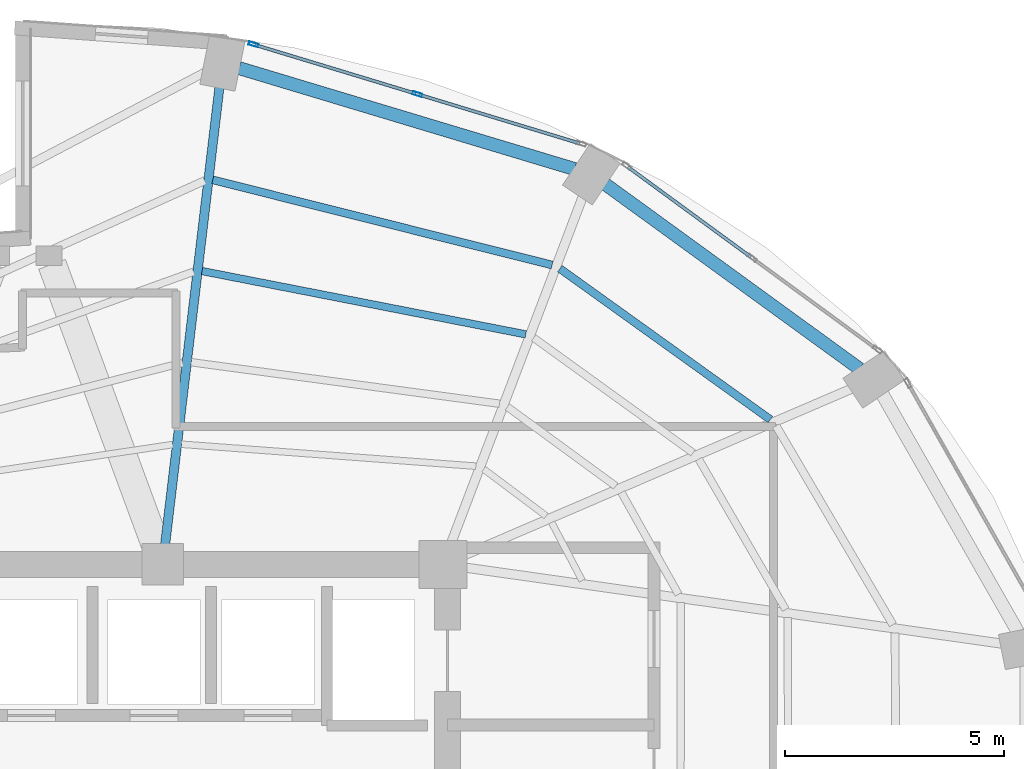
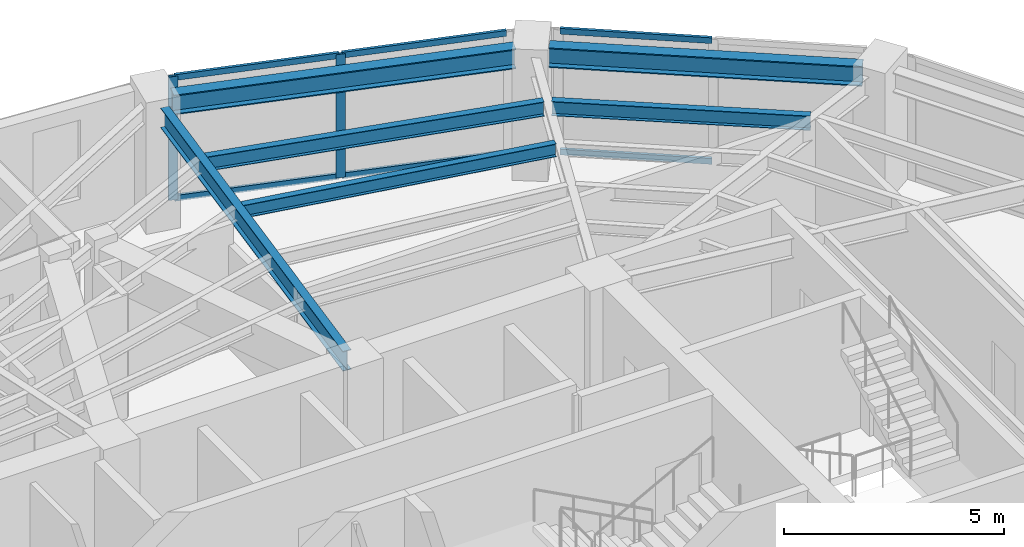
# One storey, part 13 of 20: 8 members, 6 beams, 2 elements without a shape of their own.
"""IFC4 building model written with IfcOpenShell, lengths in metres."""

from ifc_helpers import new_model, si_unit, direction, frame, origin, origin_2d, place, context, subcontext, project, spatial, hollow_rectangle, i_section, extrude, material, layer, layer_set, material_profile, profile_set, type_object, element, aggregate, save


model = new_model("IFC4")

# Units and contexts
model_context = context("Model", 3, precision=1e-05, world=origin(), true_north=direction((0.0, 1.0)))
body_context = subcontext(model_context, "Body", "Model", "MODEL_VIEW")
ifc_project = project(units=[si_unit("LENGTHUNIT", "METRE"), si_unit("AREAUNIT", "SQUARE_METRE"), si_unit("VOLUMEUNIT", "CUBIC_METRE"), si_unit("PLANEANGLEUNIT", "RADIAN"), si_unit("MASSUNIT", "GRAM", prefix="KILO")], contexts=[model_context])

# Site, building, storey
site_placement = place(None, origin())
site = spatial("IfcSite", under=ifc_project, at=site_placement, CompositionType="ELEMENT")
building_placement = place(site_placement, origin())
building = spatial("IfcBuilding", under=site, at=building_placement, Name="Lazwardi Medical Tower", CompositionType="ELEMENT")
storey_placement = place(building_placement, frame((0.0, 0.0, 182.06396484375)))
storey = spatial("IfcBuildingStorey", under=building, at=storey_placement, Name="L47", CompositionType="ELEMENT", Elevation=182.06396484375)

# Beams
ifc_material_1 = material(Name="Steel S355", Category="steel")
ifc_material_profile_1 = material_profile(ifc_material_1, i_section(OverallWidth=0.300048828125, OverallDepth=0.550048828125, WebThickness=0.014892578125, FlangeThickness=0.029052734375, at=origin_2d()), Name="HEB 550")
ifc_profile_set_1 = profile_set([ifc_material_profile_1], Name="Steel S355")
beam_type_1 = type_object("IfcBeamType", Name="BM-RB-Z3", PredefinedType="BEAM", material=ifc_profile_set_1)
beam_1_placement = place(storey_placement, frame((55.11181640625, 40.06591796875, 3.153076171875), z_axis=(-0.809127570774, 0.587633026824, 0.0), x_axis=(-0.587633026824, -0.809127570774, 0.0)))
element("IfcBeam", 1, at=beam_1_placement, inside=storey, type_object=beam_type_1, Name="Ring beam RB-04 B06 L47", PredefinedType="BEAM", context=body_context, shape_type="SweptSolid", body=[
    extrude(i_section(OverallWidth=0.300048828125, OverallDepth=0.550048828125, WebThickness=0.014892578125, FlangeThickness=0.029052734375, at=origin_2d()), origin(), (0.0, 0.0, 1.0), 7.170166015625),
])
beam_2_placement = place(storey_placement, frame((48.603515625, 44.62939453125, 3.153076171875), z_axis=(-0.957616873483, 0.288045002771, 0.0), x_axis=(-0.288045002771, -0.957616873483, 0.0)))
element("IfcBeam", 2, at=beam_2_placement, inside=storey, type_object=beam_type_1, Name="Ring beam RB-04 B07 L47", PredefinedType="BEAM", context=body_context, shape_type="SweptSolid", body=[
    extrude(i_section(OverallWidth=0.300048828125, OverallDepth=0.550048828125, WebThickness=0.014892578125, FlangeThickness=0.029052734375, at=origin_2d()), origin(), (0.0, 0.0, 1.0), 7.99951171875),
])
ifc_material_profile_2 = material_profile(ifc_material_1, i_section(OverallWidth=0.2099609375, OverallDepth=0.550048828125, WebThickness=0.010986328125, FlangeThickness=0.01708984375, at=origin_2d()), Name="IPE 550")
ifc_profile_set_2 = profile_set([ifc_material_profile_2], Name="Steel S355")
beam_type_2 = type_object("IfcBeamType", Name="BM-RG-W2", PredefinedType="BEAM", material=ifc_profile_set_2)
beam_3_placement = place(storey_placement, frame((40.494140625, 46.49267578125, 3.153076171875), z_axis=(-0.117968004211, -0.993017396616, 0.0), x_axis=(0.993017396616, -0.117968004211, 0.0)))
element("IfcBeam", 3, at=beam_3_placement, inside=storey, type_object=beam_type_2, Name="Radial girder RG-03 R08 L47", PredefinedType="BEAM", context=body_context, shape_type="SweptSolid", body=[
    extrude(i_section(OverallWidth=0.2099609375, OverallDepth=0.550048828125, WebThickness=0.010986328125, FlangeThickness=0.01708984375, at=origin_2d()), origin(), (0.0, 0.0, 1.0), 10.50927734375),
])
ifc_material_profile_3 = material_profile(ifc_material_1, i_section(OverallWidth=0.179931640625, OverallDepth=0.39990234375, WebThickness=0.008544921875, FlangeThickness=0.013427734375, at=origin_2d()), Name="IPE 400")
ifc_profile_set_3 = profile_set([ifc_material_profile_3], Name="Steel S355")
beam_type_3 = type_object("IfcBeamType", Name="BM-SJ-01", PredefinedType="JOIST", material=ifc_profile_set_3)
beam_4_placement = place(storey_placement, frame((53.073974609375, 38.908203125, 3.22802734375), z_axis=(-0.812602017757, 0.582818977675, 0.0), x_axis=(-0.582818977675, -0.812602017757, 0.0)))
element("IfcBeam", 4, at=beam_4_placement, inside=storey, type_object=beam_type_3, Name="Secondary joist SJ-01 R1 B06 L47", PredefinedType="JOIST", context=body_context, shape_type="SweptSolid", body=[
    extrude(i_section(OverallWidth=0.179931640625, OverallDepth=0.39990234375, WebThickness=0.008544921875, FlangeThickness=0.013427734375, at=origin_2d()), origin(), (0.0, 0.0, 1.0), 5.91259765625),
])
beam_5_placement = place(storey_placement, frame((48.091064453125, 42.43701171875, 3.22802734375), z_axis=(-0.969933596942, 0.243369713652, 0.0), x_axis=(-0.243369713652, -0.969933596942, 0.0)))
element("IfcBeam", 5, at=beam_5_placement, inside=storey, type_object=beam_type_3, Name="Secondary joist SJ-01 R1 B07 L47", PredefinedType="JOIST", context=body_context, shape_type="SweptSolid", body=[
    extrude(i_section(OverallWidth=0.179931640625, OverallDepth=0.39990234375, WebThickness=0.008544921875, FlangeThickness=0.013427734375, at=origin_2d()), origin(), (0.0, 0.0, 1.0), 7.98828125),
])
ifc_material_profile_4 = material_profile(ifc_material_1, i_section(OverallWidth=0.169921875, OverallDepth=0.360107421875, WebThickness=0.008056640625, FlangeThickness=0.0126953125, at=origin_2d()), Name="IPE 360")
ifc_profile_set_4 = profile_set([ifc_material_profile_4], Name="Steel S355")
beam_type_4 = type_object("IfcBeamType", Name="BM-SJ-02", PredefinedType="JOIST", material=ifc_profile_set_4)
beam_6_placement = place(storey_placement, frame((47.490478515625, 40.853515625, 3.248046875), z_axis=(-0.98141534692, 0.191895588353, 0.0), x_axis=(-0.191895588353, -0.98141534692, 0.0)))
element("IfcBeam", 6, at=beam_6_placement, inside=storey, type_object=beam_type_4, Name="Secondary joist SJ-02 R2 B07 L47", PredefinedType="JOIST", context=body_context, shape_type="SweptSolid", body=[
    extrude(i_section(OverallWidth=0.169921875, OverallDepth=0.360107421875, WebThickness=0.008056640625, FlangeThickness=0.0126953125, at=origin_2d()), origin(), (0.0, 0.0, 1.0), 7.534423828125),
])

# Curtain wall, members
ifc_material_2 = material(Name="Anodised bronze aluminium and solar control glazing", Category="aluminium")
ifc_layer = layer(ifc_material_2, 0.195068359375)
ifc_layer_set = layer_set([ifc_layer], Name="Anodised bronze aluminium and solar control glazing")
curtain_wall_type = type_object("IfcCurtainWallType", Name="CW-SYS-03", PredefinedType="NOTDEFINED", material=ifc_layer_set)
curtain_wall_1_placement = place(storey_placement, origin())
curtain_wall_1 = element("IfcCurtainWall", 7, at=curtain_wall_1_placement, inside=storey, type_object=curtain_wall_type, Name="L47 Unitised bronze curtain wall CW-03", PredefinedType="NOTDEFINED")
ifc_material_3 = material(Name="Anodised bronze aluminium", Category="aluminium")
ifc_material_profile_5 = material_profile(ifc_material_3, hollow_rectangle(XDim=0.074951171875, YDim=0.219970703125, WallThickness=0.00390625, at=origin_2d()), Name="ALU-MULLION 220x75x4")
ifc_profile_set_5 = profile_set([ifc_material_profile_5], Name="Anodised bronze aluminium")
member_type_1 = type_object("IfcMemberType", Name="CW-MUL-01", PredefinedType="MULLION", material=ifc_profile_set_5)
member_1_placement = place(storey_placement, frame((45.01513671875, 46.338623046875, 0.0), z_axis=(0.0, 0.0, 1.0), x_axis=(-0.290280785441, -0.956941516292, 0.0)))
member_1 = element("IfcMember", 8, at=member_1_placement, type_object=member_type_1, Name="CW-03 mullion 2", PredefinedType="MULLION", context=body_context, shape_type="SweptSolid", body=[
    extrude(hollow_rectangle(XDim=0.074951171875, YDim=0.219970703125, WallThickness=0.00390625, at=origin_2d()), origin(), (0.0, 0.0, 1.0), 3.427978515625),
])
member_2_placement = place(storey_placement, frame((41.27197265625, 47.47412109375, 0.0), z_axis=(0.0, 0.0, 1.0), x_axis=(-0.290280785441, -0.956941516292, 0.0)))
member_2 = element("IfcMember", 9, at=member_2_placement, type_object=member_type_1, Name="CW-03 mullion 3", PredefinedType="MULLION", context=body_context, shape_type="SweptSolid", body=[
    extrude(hollow_rectangle(XDim=0.074951171875, YDim=0.219970703125, WallThickness=0.00390625, at=origin_2d()), origin(), (0.0, 0.0, 1.0), 3.427978515625),
])

curtain_wall_2_placement = place(storey_placement, origin())
curtain_wall_2 = element("IfcCurtainWall", 10, at=curtain_wall_2_placement, inside=storey, type_object=curtain_wall_type, Name="L47 Unitised bronze curtain wall CW-03", PredefinedType="NOTDEFINED")
ifc_material_profile_6 = material_profile(ifc_material_3, hollow_rectangle(XDim=0.074951171875, YDim=0.159912109375, WallThickness=0.00390625, at=origin_2d()), Name="ALU-TRANSOM 160x75x4")
ifc_profile_set_6 = profile_set([ifc_material_profile_6], Name="Anodised bronze aluminium")
member_type_2 = type_object("IfcMemberType", Name="CW-TRN-01", PredefinedType="USERDEFINED", material=ifc_profile_set_6)
member_3_placement = place(storey_placement, frame((52.62744140625, 42.62109375, 0.03759765625), z_axis=(-0.806807161185, 0.590814864962, 0.0), x_axis=(-0.590814864962, -0.806807161185, 0.0)))
member_3 = element("IfcMember", 11, at=member_3_placement, type_object=member_type_2, Name="CW-03 transom 2.1", ObjectType="TRANSOM", PredefinedType="USERDEFINED", context=body_context, shape_type="SweptSolid", body=[
    extrude(hollow_rectangle(XDim=0.074951171875, YDim=0.159912109375, WallThickness=0.00390625, at=origin_2d()), origin(), (0.0, 0.0, 1.0), 3.472412109375),
])
member_4_placement = place(storey_placement, frame((52.62744140625, 42.62109375, 3.390625), z_axis=(-0.806807161185, 0.590814864962, 0.0), x_axis=(-0.590814864962, -0.806807161185, 0.0)))
member_4 = element("IfcMember", 12, at=member_4_placement, type_object=member_type_2, Name="CW-03 transom 2.2", ObjectType="TRANSOM", PredefinedType="USERDEFINED", context=body_context, shape_type="SweptSolid", body=[
    extrude(hollow_rectangle(XDim=0.074951171875, YDim=0.159912109375, WallThickness=0.00390625, at=origin_2d()), origin(), (0.0, 0.0, 1.0), 3.472412109375),
])
aggregate(curtain_wall_2, [member_3, member_4])

# Member
member_5_placement = place(storey_placement, frame((48.72216796875, 45.214111328125, 0.03759765625), z_axis=(-0.956930154175, 0.290318239233, 0.0), x_axis=(-0.290318239233, -0.956930154175, 0.0)))
member_5 = element("IfcMember", 13, at=member_5_placement, type_object=member_type_2, Name="CW-03 transom 1.1", ObjectType="TRANSOM", PredefinedType="USERDEFINED", context=body_context, shape_type="SweptSolid", body=[
    extrude(hollow_rectangle(XDim=0.074951171875, YDim=0.159912109375, WallThickness=0.00390625, at=origin_2d()), origin(), (0.0, 0.0, 1.0), 3.83642578125),
])

member_6_placement = place(storey_placement, frame((48.72216796875, 45.214111328125, 3.390625), z_axis=(-0.956930154175, 0.290318239233, 0.0), x_axis=(-0.290318239233, -0.956930154175, 0.0)))
member_6 = element("IfcMember", 14, at=member_6_placement, type_object=member_type_2, Name="CW-03 transom 1.2", ObjectType="TRANSOM", PredefinedType="USERDEFINED", context=body_context, shape_type="SweptSolid", body=[
    extrude(hollow_rectangle(XDim=0.074951171875, YDim=0.159912109375, WallThickness=0.00390625, at=origin_2d()), origin(), (0.0, 0.0, 1.0), 3.83642578125),
])

member_7_placement = place(storey_placement, frame((44.979248046875, 46.349609375, 0.03759765625), z_axis=(-0.95695319357, 0.290242287264, 0.0), x_axis=(-0.290242287264, -0.95695319357, 0.0)))
member_7 = element("IfcMember", 15, at=member_7_placement, type_object=member_type_2, Name="CW-03 transom 2.1", ObjectType="TRANSOM", PredefinedType="USERDEFINED", context=body_context, shape_type="SweptSolid", body=[
    extrude(hollow_rectangle(XDim=0.074951171875, YDim=0.159912109375, WallThickness=0.00390625, at=origin_2d()), origin(), (0.0, 0.0, 1.0), 3.83642578125),
])

member_8_placement = place(storey_placement, frame((44.979248046875, 46.349609375, 3.390625), z_axis=(-0.95695319357, 0.290242287264, 0.0), x_axis=(-0.290242287264, -0.95695319357, 0.0)))
member_8 = element("IfcMember", 16, at=member_8_placement, type_object=member_type_2, Name="CW-03 transom 2.2", ObjectType="TRANSOM", PredefinedType="USERDEFINED", context=body_context, shape_type="SweptSolid", body=[
    extrude(hollow_rectangle(XDim=0.074951171875, YDim=0.159912109375, WallThickness=0.00390625, at=origin_2d()), origin(), (0.0, 0.0, 1.0), 3.83642578125),
])

aggregate(curtain_wall_1, [member_1, member_2, member_5, member_6, member_7, member_8])

save(model, "model.ifc")
